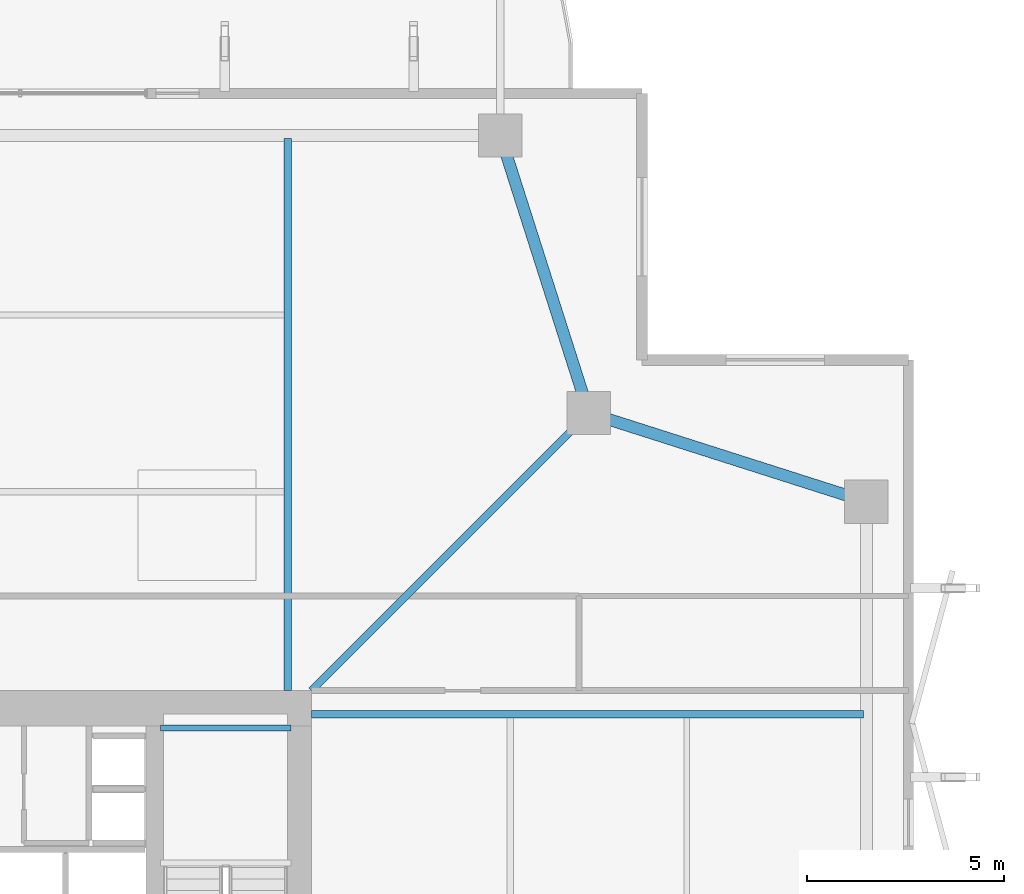
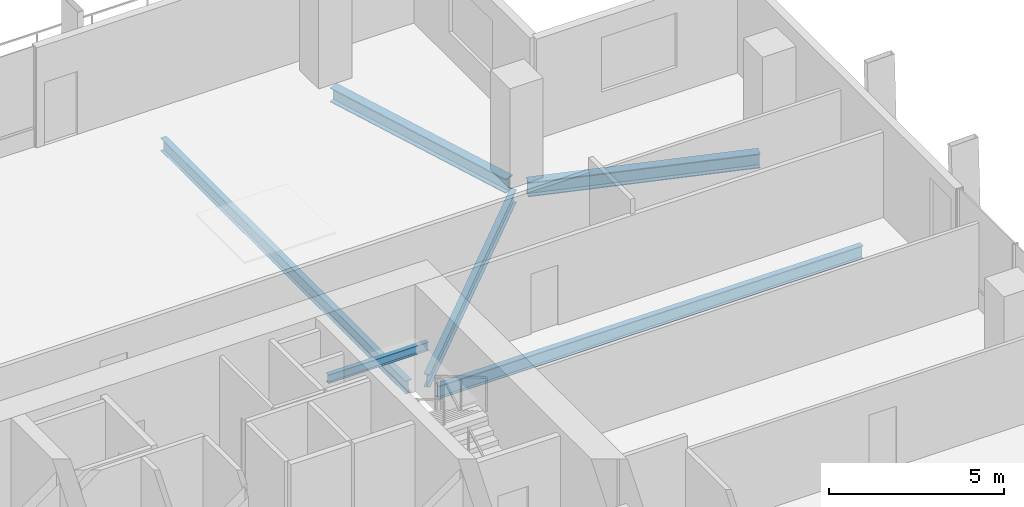
# One storey, part 15 of 25: 6 beams.
"""IFC4 building model written with IfcOpenShell, lengths in metres."""

from ifc_helpers import new_model, si_unit, direction, frame, origin, origin_2d, place, context, subcontext, project, spatial, i_section, extrude, material, material_profile, profile_set, type_object, element, save


model = new_model("IFC4")

# Units and contexts
model_context = context("Model", 3, precision=1e-05, world=origin(), true_north=direction((0.0, 1.0)))
body_context = subcontext(model_context, "Body", "Model", "MODEL_VIEW")
ifc_project = project(units=[si_unit("LENGTHUNIT", "METRE"), si_unit("AREAUNIT", "SQUARE_METRE"), si_unit("VOLUMEUNIT", "CUBIC_METRE"), si_unit("PLANEANGLEUNIT", "RADIAN"), si_unit("MASSUNIT", "GRAM", prefix="KILO")], contexts=[model_context])

# Site, building, storey
site_placement = place(None, origin())
site = spatial("IfcSite", under=ifc_project, at=site_placement, CompositionType="ELEMENT")
building_placement = place(site_placement, origin())
building = spatial("IfcBuilding", under=site, at=building_placement, Name="Belovzor Exchange Tower", CompositionType="ELEMENT")
storey_placement = place(building_placement, frame((0.0, 0.0, 160.800048828125)))
storey = spatial("IfcBuildingStorey", under=building, at=storey_placement, Name="L39", CompositionType="ELEMENT", Elevation=160.800048828125)

# Beams
ifc_material_1 = material(Name="Steel S355", Category="steel")
ifc_material_profile_1 = material_profile(ifc_material_1, i_section(OverallWidth=0.14990234375, OverallDepth=0.300048828125, WebThickness=0.007080078125, FlangeThickness=0.0107421875, at=origin_2d()))
ifc_profile_set_1 = profile_set([ifc_material_profile_1], Name="Steel S355")
beam_type_1 = type_object("IfcBeamType", Name="Secondary Trim Floor Joist IPE 300", PredefinedType="BEAM", material=ifc_profile_set_1)
beam_1_placement = place(storey_placement, frame((37.280029296875, 36.85009765625, 1.52490234375), z_axis=(-1.0, 0.0, 0.0), x_axis=(0.0, -1.0, 0.0)))
element("IfcBeam", 1, at=beam_1_placement, inside=storey, type_object=beam_type_1, Name="FJ-300 Secondary Trim Floor Joist IPE 300", PredefinedType="BEAM", context=body_context, shape_type="SweptSolid", body=[
    extrude(i_section(OverallWidth=0.14990234375, OverallDepth=0.300048828125, WebThickness=0.007080078125, FlangeThickness=0.0107421875, at=origin_2d()), origin(), (0.0, 0.0, 1.0), 3.31005859375),
])
ifc_material_2 = material(Name="Steel S355", Category="steel")
ifc_material_profile_2 = material_profile(ifc_material_2, i_section(OverallWidth=0.18994140625, OverallDepth=0.449951171875, WebThickness=0.009521484375, FlangeThickness=0.0146484375, at=origin_2d()))
ifc_profile_set_2 = profile_set([ifc_material_profile_2], Name="Steel S355")
beam_type_2 = type_object("IfcBeamType", Name="Zone 2-4 Radial Composite Floor Beam IPE 450", PredefinedType="BEAM", material=ifc_profile_set_2)
for number, where, z_axis, x_axis, name in (
    (2, (37.199951171875, 37.800048828125, -0.47998046875), (0.0, 1.0, 0.0), (-1.0, 0.0, 0.0), "FB-450 Zone 2-4 Radial Composite Floor Beam IPE 450"),
    (3, (37.800048828125, 37.199951171875, -0.47998046875), (1.0, 0.0, 0.0), (0.0, 1.0, 0.0), "FB-450 Zone 2-4 Radial Composite Floor Beam IPE 450"),
):
    element("IfcBeam", number, at=place(storey_placement, frame(where, z_axis=z_axis, x_axis=x_axis)), inside=storey, type_object=beam_type_2, Name=name, PredefinedType="BEAM", context=body_context, shape_type="SweptSolid", body=[
        extrude(i_section(OverallWidth=0.18994140625, OverallDepth=0.449951171875, WebThickness=0.009521484375, FlangeThickness=0.0146484375, at=origin_2d()), origin(), (0.0, 0.0, 1.0), 14.02490234375),
    ])
beam_2_placement = place(storey_placement, frame((37.800048828125, 37.800048828125, -0.47998046875), z_axis=(0.707106781187, 0.707106781187, 0.0), x_axis=(-0.707106781187, 0.707106781187, 0.0)))
element("IfcBeam", 4, at=beam_2_placement, inside=storey, type_object=beam_type_2, Name="FB-450 Zone 2-4 Radial Composite Floor Beam IPE 450", PredefinedType="BEAM", context=body_context, shape_type="SweptSolid", body=[
    extrude(i_section(OverallWidth=0.18994140625, OverallDepth=0.449951171875, WebThickness=0.009521484375, FlangeThickness=0.0146484375, at=origin_2d()), origin(), (0.0, 0.0, 1.0), 9.5810546875),
])
ifc_material_3 = material(Name="Steel S355", Category="steel")
ifc_material_profile_3 = material_profile(ifc_material_3, i_section(OverallWidth=0.300048828125, OverallDepth=0.5, WebThickness=0.014404296875, FlangeThickness=0.028076171875, at=origin_2d()))
ifc_profile_set_3 = profile_set([ifc_material_profile_3], Name="Steel S355")
beam_type_3 = type_object("IfcBeamType", Name="Zone 3 Waist Primary Girder HEB 500", PredefinedType="BEAM", material=ifc_profile_set_3)
for number, where, z_axis, x_axis, name in (
    (5, (51.612060546875, 42.69189453125, -0.505126953125), (-0.952661203756, 0.304033930439, 0.0), (-0.304033930439, -0.952661203756, 0.0), "FG-Z3 Zone 3 Waist Primary Girder HEB 500"),
    (6, (44.758056640625, 45.137939453125, -0.505126953125), (-0.304033930439, 0.952661203756, 0.0), (-0.952661203756, -0.304033930439, 0.0), "FG-Z3 Zone 3 Waist Primary Girder HEB 500"),
):
    element("IfcBeam", number, at=place(storey_placement, frame(where, z_axis=z_axis, x_axis=x_axis)), inside=storey, type_object=beam_type_3, Name=name, PredefinedType="BEAM", context=body_context, shape_type="SweptSolid", body=[
        extrude(i_section(OverallWidth=0.300048828125, OverallDepth=0.5, WebThickness=0.014404296875, FlangeThickness=0.028076171875, at=origin_2d()), origin(), (0.0, 0.0, 1.0), 6.7958984375),
    ])

save(model, "model.ifc")
